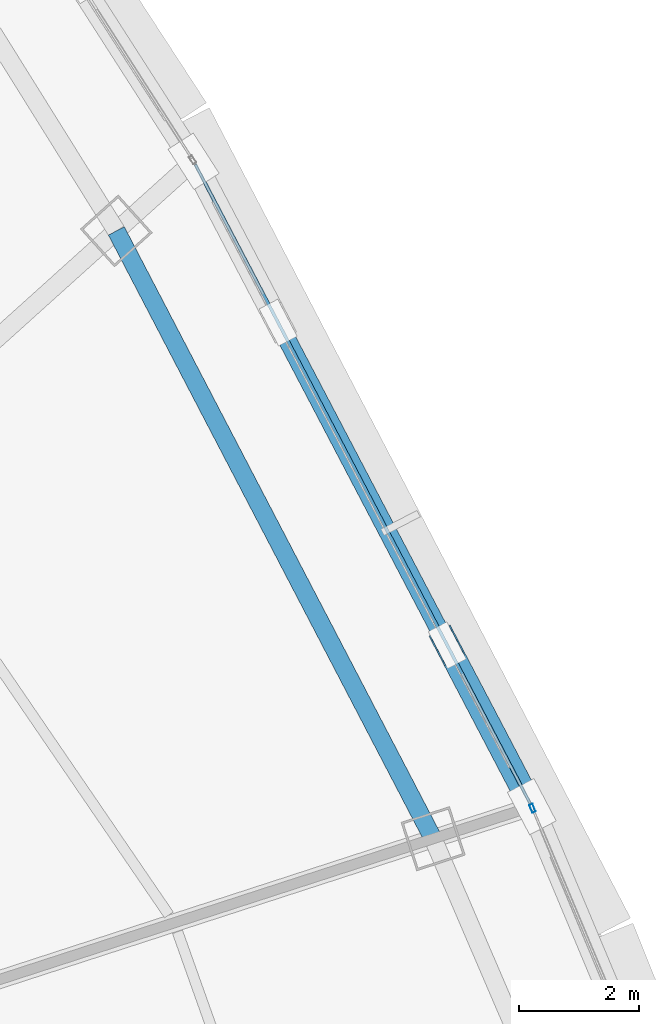
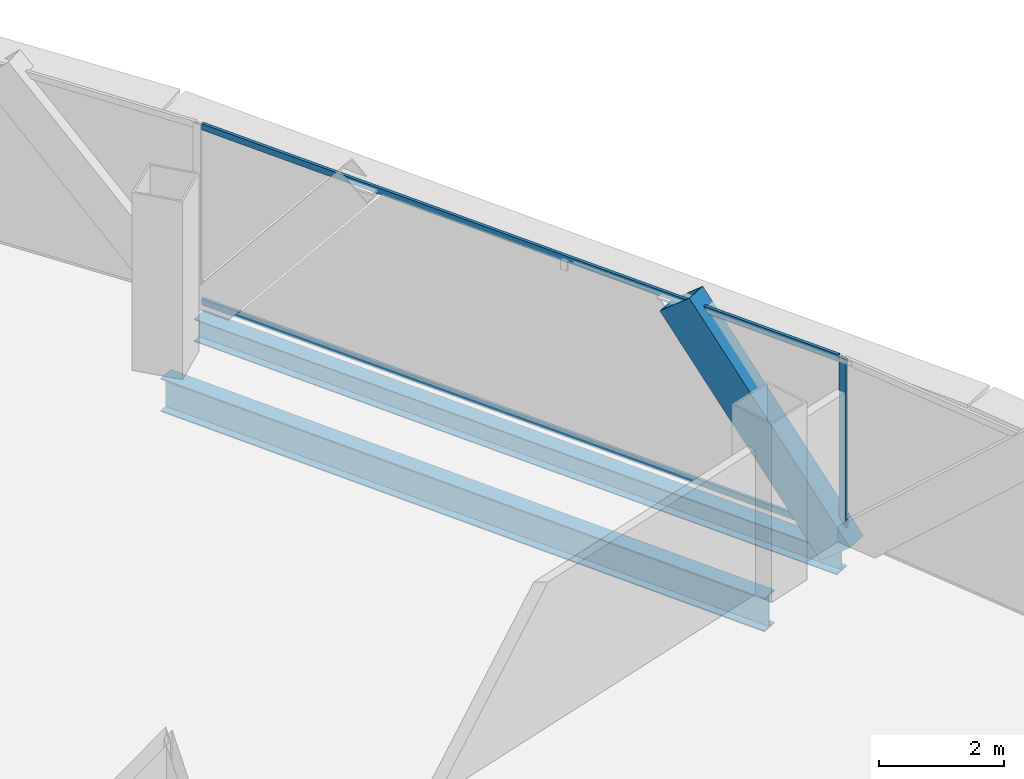
# One storey, part 16 of 37: 4 members, 2 beams, 2 elements without a shape of their own.
"""IFC4 building model written with IfcOpenShell, lengths in metres."""

import ifcopenshell
import ifcopenshell.guid

model = None  # the IFC model being written
_history = None  # IfcOwnerHistory: only IFC2X3 demands one
_inside = {}  # id of a spatial element -> (the spatial element, [elements in it])
_under = {}  # id of a project, library or spatial element -> (it, [spatial elements below it])
_declared = {}  # id of a project -> (the project, [libraries it declares])
_typed = {}  # id of a type object -> (the type object, [elements of that type])
_made_of = {}  # id of a material, layer set ... -> (it, [elements and type objects made of it])


def new_model(schema):
    """Start an empty IFC model of exactly this schema.

    Asked for "IFC4X3", IfcOpenShell would pick the latest addendum, in which some entities
    have other attributes; the version numbers below select the first issue.
    IFC2X3 requires an IfcOwnerHistory on every rooted entity: one is made here for all.
    """
    global model, _history
    if schema == "IFC4X3":
        model = ifcopenshell.file(schema_version=(4, 3, 0, 0))
    else:
        model = ifcopenshell.file(schema=schema)
    _inside.clear()
    _under.clear()
    _declared.clear()
    _typed.clear()
    _made_of.clear()
    _history = None
    if model.schema == "IFC2X3":
        org = make("IfcOrganization", Name="unknown")
        user = make(
            "IfcPersonAndOrganization",
            ThePerson=make("IfcPerson", FamilyName="unknown"),
            TheOrganization=org,
        )
        app = make(
            "IfcApplication",
            ApplicationDeveloper=org,
            Version="unknown",
            ApplicationFullName="unknown",
            ApplicationIdentifier="unknown",
        )
        _history = make(
            "IfcOwnerHistory",
            OwningUser=user,
            OwningApplication=app,
            ChangeAction="ADDED",
            CreationDate=0,
        )
    return model


def make(cls, **values):
    """One entity of the class cls with the attributes given. An attribute that is None is left unset."""
    return model.create_entity(
        cls, **{name: value for name, value in values.items() if value is not None}
    )


def rooted(cls, **values):
    """An entity with a GlobalId (a new one), such as an element, a storey or a relation."""
    return make(cls, GlobalId=ifcopenshell.guid.new(), OwnerHistory=_history, **values)


def si_unit(unit_type, name, prefix=None):
    """IfcSIUnit, for example si_unit("LENGTHUNIT", "METRE", prefix="MILLI")."""
    return make("IfcSIUnit", UnitType=unit_type, Prefix=prefix, Name=name)


def assignment(units):
    """IfcUnitAssignment: the units of a project."""
    return None if units is None else make("IfcUnitAssignment", Units=units)


def point(xyz):
    """IfcCartesianPoint."""
    return None if xyz is None else make("IfcCartesianPoint", Coordinates=xyz)


def direction(xyz):
    """IfcDirection."""
    return None if xyz is None else make("IfcDirection", DirectionRatios=xyz)


def frame(location, z_axis=None, x_axis=None):
    """IfcAxis2Placement3D, a coordinate frame: its origin and axes. An axis left out is left unset."""
    return make(
        "IfcAxis2Placement3D",
        Location=point(location),
        Axis=direction(z_axis),
        RefDirection=direction(x_axis),
    )


def frame_2d(location, x_axis=None):
    """IfcAxis2Placement2D, a coordinate frame in the plane: its origin and x axis."""
    return make(
        "IfcAxis2Placement2D", Location=point(location), RefDirection=direction(x_axis)
    )


def origin():
    """The frame at (0, 0, 0) with its axes left unset."""
    return frame((0.0, 0.0, 0.0))


def origin_2d():
    """The frame at (0, 0) in the plane with its x axis left unset."""
    return frame_2d((0.0, 0.0))


def place(relative_to, where):
    """IfcLocalPlacement: puts the frame where relative to a parent placement (None: the world)."""
    return make(
        "IfcLocalPlacement", PlacementRelTo=relative_to, RelativePlacement=where
    )


def context(
    kind, dimensions, precision=None, world=None, true_north=None, identifier=None
):
    """IfcGeometricRepresentationContext, for example the 3D "Model" context."""
    return make(
        "IfcGeometricRepresentationContext",
        ContextIdentifier=identifier,
        ContextType=kind,
        CoordinateSpaceDimension=dimensions,
        Precision=precision,
        WorldCoordinateSystem=world,
        TrueNorth=true_north,
    )


def subcontext(parent, identifier, kind, view, scale=None):
    """IfcGeometricRepresentationSubContext, for example "Body" below "Model"."""
    return make(
        "IfcGeometricRepresentationSubContext",
        ContextIdentifier=identifier,
        ContextType=kind,
        ParentContext=parent,
        TargetScale=scale,
        TargetView=view,
    )


def project(units=None, contexts=None):
    """IfcProject with its units and contexts."""
    return rooted(
        "IfcProject",
        Name="project",
        RepresentationContexts=contexts,
        UnitsInContext=assignment(units),
    )


def spatial(cls, under=None, at=None, **own):
    """A site, building, storey or space (cls), placed at a placement, below another one or the project."""
    s = rooted(cls, ObjectPlacement=at, **own)
    if under is not None:
        _under.setdefault(under.id(), (under, []))[1].append(s)
    return s


def profile(cls, at=None, kind="AREA", **sizes):
    """A parametric profile (cls). Its sizes go by their IFC names, for example OverallWidth=200.0."""
    return make(cls, ProfileType=kind, Position=at, **sizes)


def hollow_rectangle(**sizes):
    """IfcRectangleHollowProfileDef."""
    return profile("IfcRectangleHollowProfileDef", **sizes)


def i_section(**sizes):
    """IfcIShapeProfileDef."""
    return profile("IfcIShapeProfileDef", **sizes)


def extrude(swept, where, along, depth):
    """IfcExtrudedAreaSolid: the profile swept, set in the frame where, extruded along a direction by depth."""
    return make(
        "IfcExtrudedAreaSolid",
        SweptArea=swept,
        Position=where,
        ExtrudedDirection=direction(along),
        Depth=depth,
    )


def shape(context_of_items, identifier, shape_type, items):
    """IfcShapeRepresentation: the items that make up one representation, for example the "Body"."""
    return make(
        "IfcShapeRepresentation",
        ContextOfItems=context_of_items,
        RepresentationIdentifier=identifier,
        RepresentationType=shape_type,
        Items=items,
    )


def source(mapping_origin, context_of_items, identifier, shape_type, items):
    """IfcRepresentationMap: a shape defined once, which mapped items show again and again."""
    return make(
        "IfcRepresentationMap",
        MappingOrigin=mapping_origin,
        MappedRepresentation=shape(context_of_items, identifier, shape_type, items),
    )


def transform(
    local_origin,
    x_axis=None,
    y_axis=None,
    z_axis=None,
    scale=None,
    scale2=None,
    scale3=None,
    uniform=True,
):
    """IfcCartesianTransformationOperator3D, or its non-uniform kind. x_axis, y_axis, z_axis: its Axis1, 2, 3."""
    if uniform:
        return make(
            "IfcCartesianTransformationOperator3D",
            Axis1=direction(x_axis),
            Axis2=direction(y_axis),
            LocalOrigin=point(local_origin),
            Scale=scale,
            Axis3=direction(z_axis),
        )
    return make(
        "IfcCartesianTransformationOperator3DnonUniform",
        Axis1=direction(x_axis),
        Axis2=direction(y_axis),
        LocalOrigin=point(local_origin),
        Scale=scale,
        Axis3=direction(z_axis),
        Scale2=scale2,
        Scale3=scale3,
    )


def mapped(mapping_source, mapping_target):
    """IfcMappedItem: shows the shape of a source again, moved by a transform."""
    return make(
        "IfcMappedItem", MappingSource=mapping_source, MappingTarget=mapping_target
    )


def material(Name=None, Category=None):
    """IfcMaterial."""
    return make("IfcMaterial", Name=Name, Category=Category)


def layer(
    of_material, thickness, ventilated=None, Name=None, Category=None, Priority=None
):
    """IfcMaterialLayer: one layer of a wall or slab, of a material (None: an air gap)."""
    return make(
        "IfcMaterialLayer",
        Material=of_material,
        LayerThickness=thickness,
        IsVentilated=ventilated,
        Name=Name,
        Category=Category,
        Priority=Priority,
    )


def layer_set(layers, Name=None):
    """IfcMaterialLayerSet."""
    return make("IfcMaterialLayerSet", MaterialLayers=layers, LayerSetName=Name)


def material_profile(
    of_material, cross_section, Name=None, Category=None, Priority=None
):
    """IfcMaterialProfile: a cross section and its material."""
    return make(
        "IfcMaterialProfile",
        Name=Name,
        Material=of_material,
        Profile=cross_section,
        Priority=Priority,
        Category=Category,
    )


def profile_set(profiles, Name=None, composite=None):
    """IfcMaterialProfileSet."""
    return make(
        "IfcMaterialProfileSet",
        Name=Name,
        MaterialProfiles=profiles,
        CompositeProfile=composite,
    )


def made_of(thing, what):
    """Note that an element or type object is made of a material, layer set ...; save() writes the relation."""
    if what is not None:
        _made_of.setdefault(what.id(), (what, []))[1].append(thing)
    return thing


def type_object(cls, material=None, **own):
    """A type object (cls), such as IfcWallType, which elements share."""
    return made_of(rooted(cls, **own), material)


def element(
    cls,
    number,
    at=None,
    inside=None,
    cuts=None,
    type_object=None,
    material=None,
    context=None,
    identifier="Body",
    shape_type=None,
    held_by="IfcProductDefinitionShape",
    body=None,
    shapes=None,
    **own,
):
    """One element of the class cls, such as IfcWall. Its Tag is "e" and its number.

    at: its placement. inside: the storey or other place that contains it. cuts: it is an
    opening in that element (IfcRelVoidsElement). A single representation is given by context,
    identifier, shape_type and body (its items); several are given by shapes. held_by: the class
    of the entity that holds the representations. save() writes the other relations.
    """
    e = rooted(cls, Tag="e%d" % number, ObjectPlacement=at, **own)
    if body is not None:
        shapes = [shape(context, identifier, shape_type, body)]
    if shapes is not None:
        e.Representation = make(held_by, Representations=shapes)
    if inside is not None:
        _inside.setdefault(inside.id(), (inside, []))[1].append(e)
    if cuts is not None:
        rooted(
            "IfcRelVoidsElement", RelatingBuildingElement=cuts, RelatedOpeningElement=e
        )
    if type_object is not None:
        _typed.setdefault(type_object.id(), (type_object, []))[1].append(e)
    return made_of(e, material)


def aggregate(whole, parts):
    """IfcRelAggregates: a whole, such as a stair, and the parts it consists of."""
    return rooted("IfcRelAggregates", RelatingObject=whole, RelatedObjects=parts)


def save(model, path):
    """Write the relations noted so far, then the file.

    IfcRelAggregates (storeys below a building ...), IfcRelContainedInSpatialStructure (elements
    in a storey), IfcRelDefinesByType, IfcRelAssociatesMaterial and IfcRelDeclares: one each for
    every whole, place, type object, material and project.
    """
    for whole, parts in _under.values():
        aggregate(whole, parts)
    for where, things in _inside.values():
        rooted(
            "IfcRelContainedInSpatialStructure",
            RelatedElements=things,
            RelatingStructure=where,
        )
    for kind, things in _typed.values():
        rooted("IfcRelDefinesByType", RelatedObjects=things, RelatingType=kind)
    for what, things in _made_of.values():
        rooted("IfcRelAssociatesMaterial", RelatedObjects=things, RelatingMaterial=what)
    for by, libraries in _declared.values():
        rooted("IfcRelDeclares", RelatingContext=by, RelatedDefinitions=libraries)
    model.write(path)


model = new_model("IFC4")

# Units and contexts
model_context = context("Model", 3, precision=1e-05, world=origin(), true_north=direction((0.0, 1.0)))
body_context = subcontext(model_context, "Body", "Model", "MODEL_VIEW")
ifc_project = project(units=[si_unit("LENGTHUNIT", "METRE"), si_unit("AREAUNIT", "SQUARE_METRE"), si_unit("VOLUMEUNIT", "CUBIC_METRE"), si_unit("PLANEANGLEUNIT", "RADIAN"), si_unit("MASSUNIT", "GRAM", prefix="KILO"), si_unit("THERMODYNAMICTEMPERATUREUNIT", "KELVIN"), si_unit("POWERUNIT", "WATT")], contexts=[model_context])

# Site, building, storey
site_placement = place(None, origin())
site = spatial("IfcSite", under=ifc_project, at=site_placement, CompositionType="ELEMENT")
building_placement = place(site_placement, origin())
building = spatial("IfcBuilding", under=site, at=building_placement, Name="Yunzhuo Pagoda Commons", CompositionType="ELEMENT")
storey_placement = place(building_placement, frame((0.0, 0.0, 255.719970703125)))
storey = spatial("IfcBuildingStorey", under=building, at=storey_placement, Name="L64", CompositionType="ELEMENT", Elevation=255.719970703125)

# Beams
ifc_material_1 = material(Name="Structural steel Q355B", Category="steel")
ifc_material_profile_1 = material_profile(ifc_material_1, i_section(OverallWidth=0.300048828125, OverallDepth=0.64990234375, WebThickness=0.012939453125, FlangeThickness=0.02197265625, at=origin_2d()), Name="Structural steel Q355B")
ifc_profile_set_1 = profile_set([ifc_material_profile_1], Name="Structural steel Q355B")
beam_type_1 = type_object("IfcBeamType", Name="B-RG2 Beam HN 650x300x13x22", PredefinedType="BEAM", material=ifc_profile_set_1)
shared_shape_1 = source(origin(), body_context, "Body", "SweptSolid", [
    extrude(i_section(OverallWidth=0.300048828125, OverallDepth=0.64990234375, WebThickness=0.012939453125, FlangeThickness=0.02197265625, at=origin_2d()), origin(), (0.0, 0.0, 1.0), 11.43896484375),
])
beam_1_placement = place(storey_placement, frame((73.898681640625, 42.114990234375, -0.5849609375), z_axis=(-0.462175736513, 0.886788356136, 0.0), x_axis=(-0.886788356136, -0.462175736513, 0.0)))
element("IfcBeam", 1, at=beam_1_placement, inside=storey, type_object=beam_type_1, Name="L64 column-ring beam 6", PredefinedType="BEAM", context=body_context, shape_type="MappedRepresentation", body=[
    mapped(shared_shape_1, transform((0.0, 0.0, 0.0), scale=1.0)),
])
ifc_material_profile_2 = material_profile(ifc_material_1, i_section(OverallWidth=0.300048828125, OverallDepth=0.43994140625, WebThickness=0.010986328125, FlangeThickness=0.01806640625, at=origin_2d()), Name="Structural steel Q355B")
ifc_profile_set_2 = profile_set([ifc_material_profile_2], Name="Structural steel Q355B")
beam_type_2 = type_object("IfcBeamType", Name="B-SP2 Beam HM 440x300x11x18", PredefinedType="BEAM", material=ifc_profile_set_2)
shared_shape_2 = source(origin(), body_context, "Body", "SweptSolid", [
    extrude(i_section(OverallWidth=0.300048828125, OverallDepth=0.43994140625, WebThickness=0.010986328125, FlangeThickness=0.01806640625, at=origin_2d()), origin(), (0.0, 0.0, 1.0), 12.159423828125),
])
beam_2_placement = place(storey_placement, frame((75.546142578125, 42.650390625, -0.47998046875), z_axis=(-0.464166790658, 0.885747814251, 0.0), x_axis=(-0.885747814251, -0.464166790658, 0.0)))
element("IfcBeam", 2, at=beam_2_placement, inside=storey, type_object=beam_type_2, Name="L64 facade edge spandrel beam F2.2", PredefinedType="BEAM", context=body_context, shape_type="MappedRepresentation", body=[
    mapped(shared_shape_2, transform((0.0, 0.0, 0.0), scale=1.0)),
])

# Member
ifc_material_profile_3 = material_profile(ifc_material_1, hollow_rectangle(XDim=0.39990234375, YDim=0.719970703125, WallThickness=0.02392578125, at=origin_2d()), Name="Structural steel Q355B")
ifc_profile_set_3 = profile_set([ifc_material_profile_3], Name="Structural steel Q355B")
member_type_1 = type_object("IfcMemberType", Name="M-DL2 Brace BOX 720x400x24", PredefinedType="BRACE", material=ifc_profile_set_3)
shared_shape_3 = source(origin(), body_context, "Body", "SweptSolid", [
    extrude(hollow_rectangle(XDim=0.39990234375, YDim=0.719970703125, WallThickness=0.02392578125, at=origin_2d()), origin(), (0.0, 0.0, 1.0), 4.81201171875),
])
member_1_placement = place(storey_placement, frame((75.546142578125, 42.650390625, -0.260009765625), z_axis=(-0.293259544764, 0.559577771488, 0.775159052751), x_axis=(-0.885735630591, -0.464190039425, 0.0)))
element("IfcMember", 3, at=member_1_placement, inside=storey, type_object=member_type_1, Name="L64 facade diamond brace F2.2L", PredefinedType="BRACE", context=body_context, shape_type="MappedRepresentation", body=[
    mapped(shared_shape_3, transform((0.0, 0.0, 0.0), scale=1.0)),
])

# Curtain wall, member
ifc_material_2 = material(Name="Anodized aluminium 6063-T6", Category="aluminium")
ifc_layer = layer(ifc_material_2, 0.139892578125)
ifc_layer_set = layer_set([ifc_layer], Name="Anodized aluminium 6063-T6")
curtain_wall_type = type_object("IfcCurtainWallType", Name="CW-HI High-Zone Ribbon Curtain Wall", PredefinedType="NOTDEFINED", material=ifc_layer_set)
curtain_wall_1_placement = place(storey_placement, origin())
curtain_wall_1 = element("IfcCurtainWall", 4, at=curtain_wall_1_placement, inside=storey, type_object=curtain_wall_type, Name="L64 curtain wall CW-L64-F2B2", PredefinedType="NOTDEFINED")
ifc_material_profile_4 = material_profile(ifc_material_2, hollow_rectangle(XDim=0.06005859375, YDim=0.139892578125, WallThickness=0.00341796875, at=origin_2d()), Name="Anodized aluminium 6063-T6")
ifc_profile_set_4 = profile_set([ifc_material_profile_4], Name="Anodized aluminium 6063-T6")
member_type_2 = type_object("IfcMemberType", Name="CW-HI-M Mullion RHS 140x60x3.5", PredefinedType="MULLION", material=ifc_profile_set_4)
shared_shape_4 = source(origin(), body_context, "Body", "SweptSolid", [
    extrude(hollow_rectangle(XDim=0.06005859375, YDim=0.139892578125, WallThickness=0.00341796875, at=origin_2d()), origin(), (0.0, 0.0, 1.0), 3.469970703125),
])
member_2_placement = place(storey_placement, frame((75.5576171875, 42.62255859375, 0.0), z_axis=(0.0, 0.0, 1.0), x_axis=(-0.922450521644, -0.38611531324, 0.0)))
member_2 = element("IfcMember", 5, at=member_2_placement, type_object=member_type_2, Name="CW mullion 2", PredefinedType="MULLION", context=body_context, shape_type="MappedRepresentation", body=[
    mapped(shared_shape_4, transform((0.0, 0.0, 0.0), scale=1.0)),
])
aggregate(curtain_wall_1, [member_2])

# Curtain wall, members
curtain_wall_2_placement = place(storey_placement, origin())
curtain_wall_2 = element("IfcCurtainWall", 6, at=curtain_wall_2_placement, inside=storey, type_object=curtain_wall_type, Name="L64 curtain wall CW-L64-F2B3", PredefinedType="NOTDEFINED")
ifc_material_profile_5 = material_profile(ifc_material_2, hollow_rectangle(XDim=0.054931640625, YDim=0.1201171875, WallThickness=0.00341796875, at=origin_2d()), Name="Anodized aluminium 6063-T6")
ifc_profile_set_5 = profile_set([ifc_material_profile_5], Name="Anodized aluminium 6063-T6")
member_type_3 = type_object("IfcMemberType", Name="CW-HI-T Transom RHS 120x55x3.5", PredefinedType="USERDEFINED", material=ifc_profile_set_5)
shared_shape_5 = source(origin(), body_context, "Body", "SweptSolid", [
    extrude(hollow_rectangle(XDim=0.054931640625, YDim=0.1201171875, WallThickness=0.00341796875, at=origin_2d()), origin(), (0.0, 0.0, 1.0), 12.039794921875),
])
member_3_placement = place(storey_placement, frame((75.5185546875, 42.703369140625, 0.027587890625), z_axis=(-0.464182018036, 0.885739834337, 0.0), x_axis=(-0.885739834337, -0.464182018036, 0.0)))
member_3 = element("IfcMember", 7, at=member_3_placement, type_object=member_type_3, Name="CW transom 1.1", ObjectType="TRANSOM", PredefinedType="USERDEFINED", context=body_context, shape_type="MappedRepresentation", body=[
    mapped(shared_shape_5, transform((0.0, 0.0, 0.0), scale=1.0)),
])
member_4_placement = place(storey_placement, frame((75.5185546875, 42.703369140625, 3.442626953125), z_axis=(-0.464182018036, 0.885739834337, 0.0), x_axis=(-0.885739834337, -0.464182018036, 0.0)))
member_4 = element("IfcMember", 8, at=member_4_placement, type_object=member_type_3, Name="CW transom 1.2", ObjectType="TRANSOM", PredefinedType="USERDEFINED", context=body_context, shape_type="MappedRepresentation", body=[
    mapped(shared_shape_5, transform((0.0, 0.0, 0.0), scale=1.0)),
])
aggregate(curtain_wall_2, [member_3, member_4])

save(model, "model.ifc")
